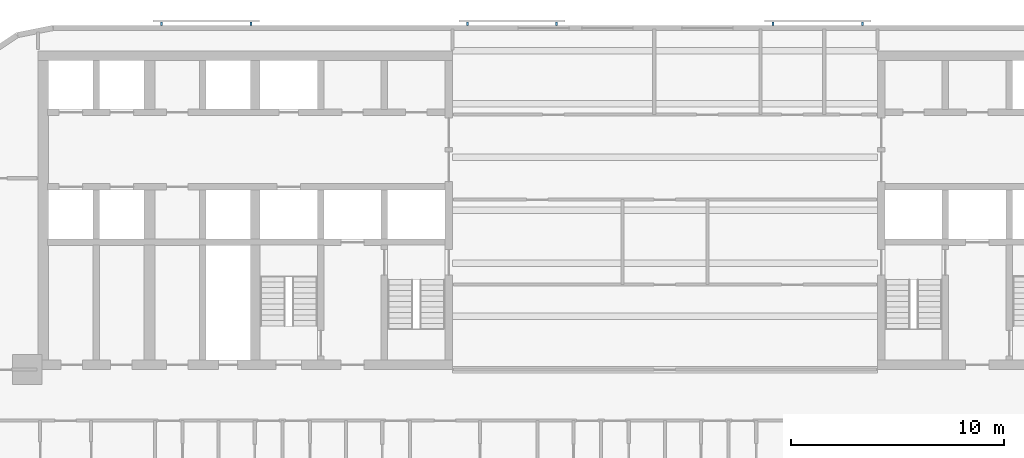
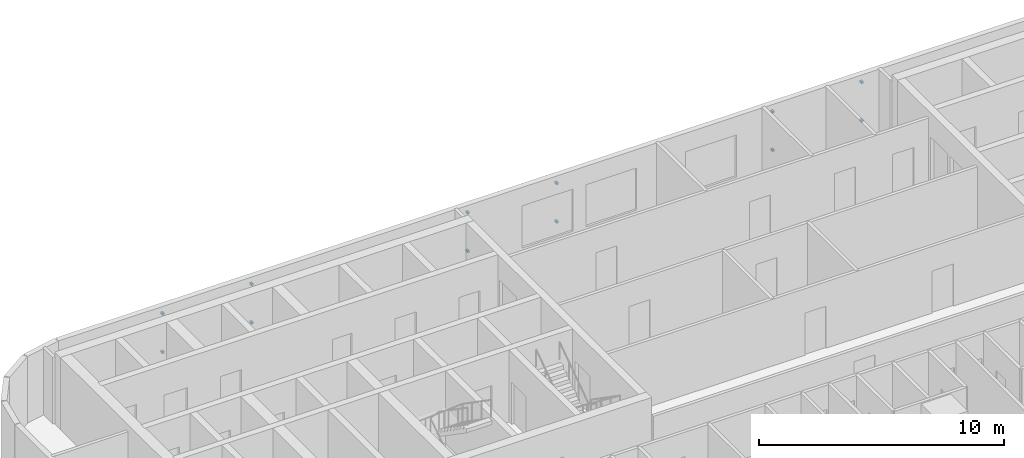
# One storey, part 11 of 15: 12 discrete accessories.
"""IFC4 building model written with IfcOpenShell, lengths in metres."""

from ifc_helpers import new_model, si_unit, direction, frame, origin, origin_2d, place, context, subcontext, project, spatial, rectangle, extrude, material, type_object, element, save


model = new_model("IFC4")

# Units and contexts
model_context = context("Model", 3, precision=1e-05, world=origin(), true_north=direction((0.0, 1.0)))
body_context = subcontext(model_context, "Body", "Model", "MODEL_VIEW")
ifc_project = project(units=[si_unit("LENGTHUNIT", "METRE"), si_unit("AREAUNIT", "SQUARE_METRE"), si_unit("VOLUMEUNIT", "CUBIC_METRE"), si_unit("PLANEANGLEUNIT", "RADIAN"), si_unit("MASSUNIT", "GRAM", prefix="KILO")], contexts=[model_context])

# Site, building, storey
site_placement = place(None, origin())
site = spatial("IfcSite", under=ifc_project, at=site_placement, CompositionType="ELEMENT")
building_placement = place(site_placement, origin())
building = spatial("IfcBuilding", under=site, at=building_placement, Name="Torana Hotel and Residences", CompositionType="ELEMENT")
storey_placement = place(building_placement, frame((0.0, 0.0, 52.800048828125)))
storey = spatial("IfcBuildingStorey", under=building, at=storey_placement, Name="L12", CompositionType="ELEMENT", Elevation=52.800048828125)

# Discrete accessories
ifc_material = material(Name="Steel S355", Category="steel")
discrete_accessory_type = type_object("IfcDiscreteAccessoryType", Name="SCREEN BRACKET 100", PredefinedType="BRACKET", material=ifc_material)
for number, where, z_axis, x_axis, name in (
    (1, (9.293701171875, 1.27490234375, 0.75), (0.0, 0.0, 1.0), (-1.0, 0.0, 0.0), "Screen bracket L12"),
    (2, (9.293701171875, 1.27490234375, 2.669921875), (0.0, 0.0, 1.0), (-1.0, 0.0, 0.0), "Screen bracket L12"),
    (3, (5.09375, 1.27490234375, 0.75), (0.0, 0.0, 1.0), (-1.0, 0.0, 0.0), "Screen bracket L12"),
    (4, (5.09375, 1.27490234375, 2.669921875), (0.0, 0.0, 1.0), (-1.0, 0.0, 0.0), "Screen bracket L12"),
    (5, (-5.09375, 1.27490234375, 0.75), (0.0, 0.0, 1.0), (-1.0, 0.0, 0.0), "Screen bracket L12"),
    (6, (-5.09375, 1.27490234375, 2.669921875), (0.0, 0.0, 1.0), (-1.0, 0.0, 0.0), "Screen bracket L12"),
    (7, (-9.293701171875, 1.27490234375, 0.75), (0.0, 0.0, 1.0), (-1.0, 0.0, 0.0), "Screen bracket L12"),
    (8, (-9.293701171875, 1.27490234375, 2.669921875), (0.0, 0.0, 1.0), (-1.0, 0.0, 0.0), "Screen bracket L12"),
    (9, (-19.4814453125, 1.27490234375, 0.75), (0.0, 0.0, 1.0), (-1.0, 0.0, 0.0), "Screen bracket L12"),
    (10, (-19.4814453125, 1.27490234375, 2.669921875), (0.0, 0.0, 1.0), (-1.0, 0.0, 0.0), "Screen bracket L12"),
    (11, (-23.681396484375, 1.27490234375, 0.75), (0.0, 0.0, 1.0), (-1.0, 0.0, 0.0), "Screen bracket L12"),
    (12, (-23.681396484375, 1.27490234375, 2.669921875), (0.0, 0.0, 1.0), (-1.0, 0.0, 0.0), "Screen bracket L12"),
):
    element("IfcDiscreteAccessory", number, at=place(storey_placement, frame(where, z_axis=z_axis, x_axis=x_axis)), inside=storey, type_object=discrete_accessory_type, Name=name, PredefinedType="BRACKET", context=body_context, shape_type="SweptSolid", body=[
        extrude(rectangle(XDim=0.10009765625, YDim=0.14990234375, at=origin_2d()), origin(), (0.0, 0.0, 1.0), 0.10009765625),
    ])

save(model, "model.ifc")
